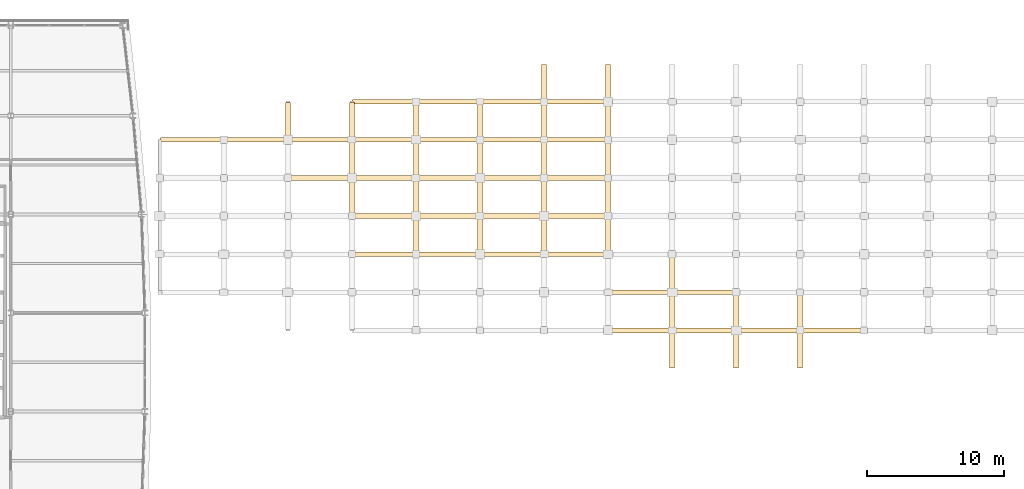
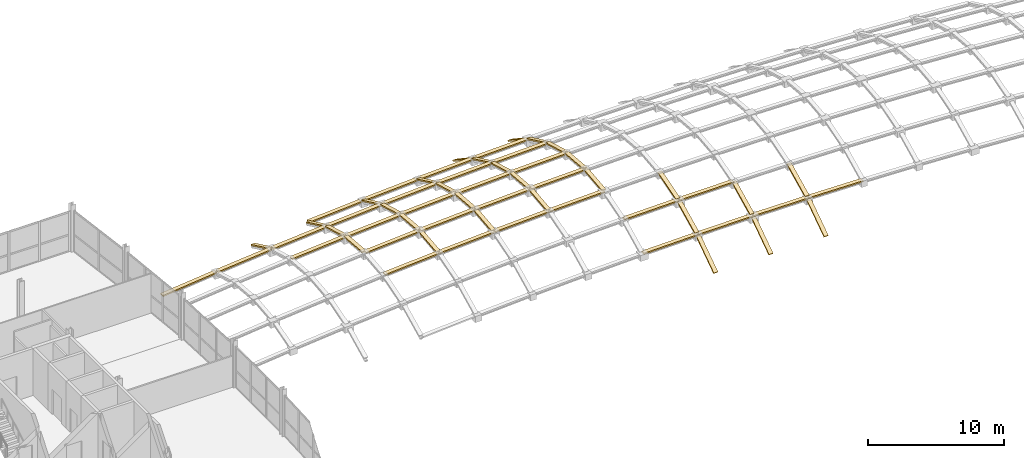
# One storey, part 33 of 36: 59 coverings.
"""IFC4 building model written with IfcOpenShell, lengths in metres."""

from ifc_helpers import new_model, si_unit, direction, frame, origin, place, context, subcontext, project, spatial, polyline, outline, extrude, material, layer, layer_set, type_object, element, save


model = new_model("IFC4")

# Units and contexts
model_context = context("Model", 3, precision=1e-05, world=origin(), true_north=direction((0.0, 1.0)))
body_context = subcontext(model_context, "Body", "Model", "MODEL_VIEW")
ifc_project = project(units=[si_unit("LENGTHUNIT", "METRE"), si_unit("AREAUNIT", "SQUARE_METRE"), si_unit("VOLUMEUNIT", "CUBIC_METRE"), si_unit("PLANEANGLEUNIT", "RADIAN"), si_unit("MASSUNIT", "GRAM", prefix="KILO")], contexts=[model_context])

# Site, building, storey
site_placement = place(None, origin())
site = spatial("IfcSite", under=ifc_project, at=site_placement, CompositionType="ELEMENT")
building_placement = place(site_placement, origin())
building = spatial("IfcBuilding", under=site, at=building_placement, Name="Quillay Park Conservatory", CompositionType="ELEMENT")
storey_placement = place(building_placement, frame((0.0, 0.0, 18.300048828125)))
storey = spatial("IfcBuildingStorey", under=building, at=storey_placement, Name="L04", CompositionType="ELEMENT", Elevation=18.300048828125)

# Coverings
ifc_material = material(Name="Thermally Broken Anodised Aluminium 6063-T6", Category="aluminium")
ifc_layer = layer(ifc_material, 0.090087890625)
ifc_layer_set = layer_set([ifc_layer], Name="GRIDSHELL GLAZING CAP BAR 90 (Thermally Broken Anodised Aluminium 6063-T6)")
covering_type = type_object("IfcCoveringType", Name="GRIDSHELL GLAZING CAP BAR 90", PredefinedType="CLADDING", material=ifc_layer_set)
covering_1_placement = place(storey_placement, frame((39.83056640625, 105.094970703125, 1.05419921875), z_axis=(0.0, 0.429589332762, 0.903024365772), x_axis=(1.0, 0.0, 0.0)))
element("IfcCovering", 1, at=covering_1_placement, inside=storey, type_object=covering_type, Name="Gridshell Transverse Glazing Cap Bar 02-07", PredefinedType="CLADDING", context=body_context, shape_type="SweptSolid", body=[
    extrude(outline(polyline([(0.0, 0.0), (0.35009765625, 0.0), (0.35009765625, 2.973406582950739), (0.0, 2.973406582950739), (0.0, 0.0)])), origin(), (0.0, 0.0, -1.0), 0.1201171875),
])
covering_2_placement = place(storey_placement, frame((44.50830078125, 99.52490234375, 2.47998046875), z_axis=(0.0, 0.086957947249, 0.996211983169), x_axis=(1.0, 0.0, 0.0)))
element("IfcCovering", 2, at=covering_2_placement, inside=storey, type_object=covering_type, Name="Gridshell Transverse Glazing Cap Bar 03-05", PredefinedType="CLADDING", context=body_context, shape_type="SweptSolid", body=[
    extrude(outline(polyline([(0.0, 0.0), (0.35009765625, 0.0), (0.35009765625, 2.6952683154921195), (0.0, 2.6952683154921195), (0.0, 0.0)])), origin(), (0.0, 0.0, -1.0), 0.1201171875),
])
covering_3_placement = place(storey_placement, frame((44.50830078125, 102.31005859375, 2.22607421875), z_axis=(0.0, 0.271622278609, 0.962403936901), x_axis=(1.0, 0.0, 0.0)))
element("IfcCovering", 3, at=covering_3_placement, inside=storey, type_object=covering_type, Name="Gridshell Transverse Glazing Cap Bar 03-06", PredefinedType="CLADDING", context=body_context, shape_type="SweptSolid", body=[
    extrude(outline(polyline([(0.0, 0.0), (0.35009765625, 0.0), (0.35009765625, 2.789949719444237), (0.0, 2.789949719444237), (0.0, 0.0)])), origin(), (0.0, 0.0, -1.0), 0.1201171875),
])
covering_4_placement = place(storey_placement, frame((44.50830078125, 105.094970703125, 1.43310546875), z_axis=(0.0, 0.429589332762, 0.903024365772), x_axis=(1.0, 0.0, 0.0)))
element("IfcCovering", 4, at=covering_4_placement, inside=storey, type_object=covering_type, Name="Gridshell Transverse Glazing Cap Bar 03-07", PredefinedType="CLADDING", context=body_context, shape_type="SweptSolid", body=[
    extrude(outline(polyline([(0.0, 0.0), (0.35009765625, 0.0), (0.35009765625, 2.973406582950739), (0.0, 2.973406582950739), (0.0, 0.0)])), origin(), (0.0, 0.0, -1.0), 0.1201171875),
])
covering_5_placement = place(storey_placement, frame((49.18603515625, 96.739990234375, 2.51513671875), z_axis=(0.0, -0.105607242225, 0.994407919513), x_axis=(1.0, 0.0, 0.0)))
element("IfcCovering", 5, at=covering_5_placement, inside=storey, type_object=covering_type, Name="Gridshell Transverse Glazing Cap Bar 04-04", PredefinedType="CLADDING", context=body_context, shape_type="SweptSolid", body=[
    extrude(outline(polyline([(0.0, 0.0), (0.35009765625, 0.0), (0.35009765625, 2.7001580951464286), (0.0, 2.7001580951464286), (0.0, 0.0)])), origin(), (0.0, 0.0, -1.0), 0.1201171875),
])
covering_6_placement = place(storey_placement, frame((49.18603515625, 99.52490234375, 2.80029296875), z_axis=(0.0, 0.086957947249, 0.996211983169), x_axis=(1.0, 0.0, 0.0)))
element("IfcCovering", 6, at=covering_6_placement, inside=storey, type_object=covering_type, Name="Gridshell Transverse Glazing Cap Bar 04-05", PredefinedType="CLADDING", context=body_context, shape_type="SweptSolid", body=[
    extrude(outline(polyline([(0.0, 0.0), (0.35009765625, 0.0), (0.35009765625, 2.6952683154921195), (0.0, 2.6952683154921195), (0.0, 0.0)])), origin(), (0.0, 0.0, -1.0), 0.1201171875),
])
covering_7_placement = place(storey_placement, frame((49.18603515625, 102.31005859375, 2.54638671875), z_axis=(0.0, 0.271622278609, 0.962403936901), x_axis=(1.0, 0.0, 0.0)))
element("IfcCovering", 7, at=covering_7_placement, inside=storey, type_object=covering_type, Name="Gridshell Transverse Glazing Cap Bar 04-06", PredefinedType="CLADDING", context=body_context, shape_type="SweptSolid", body=[
    extrude(outline(polyline([(0.0, 0.0), (0.35009765625, 0.0), (0.35009765625, 2.789949719444237), (0.0, 2.789949719444237), (0.0, 0.0)])), origin(), (0.0, 0.0, -1.0), 0.1201171875),
])
covering_8_placement = place(storey_placement, frame((49.18603515625, 105.094970703125, 1.75341796875), z_axis=(0.0, 0.429589332762, 0.903024365772), x_axis=(1.0, 0.0, 0.0)))
element("IfcCovering", 8, at=covering_8_placement, inside=storey, type_object=covering_type, Name="Gridshell Transverse Glazing Cap Bar 04-07", PredefinedType="CLADDING", context=body_context, shape_type="SweptSolid", body=[
    extrude(outline(polyline([(0.0, 0.0), (0.35009765625, 0.0), (0.35009765625, 2.973406582950739), (0.0, 2.973406582950739), (0.0, 0.0)])), origin(), (0.0, 0.0, -1.0), 0.1201171875),
])
covering_9_placement = place(storey_placement, frame((53.864013671875, 96.739990234375, 2.77685546875), z_axis=(0.0, -0.105607242225, 0.994407919513), x_axis=(1.0, 0.0, 0.0)))
element("IfcCovering", 9, at=covering_9_placement, inside=storey, type_object=covering_type, Name="Gridshell Transverse Glazing Cap Bar 05-04", PredefinedType="CLADDING", context=body_context, shape_type="SweptSolid", body=[
    extrude(outline(polyline([(0.0, 0.0), (0.349853515625, 0.0), (0.349853515625, 2.7001580951464286), (0.0, 2.7001580951464286), (0.0, 0.0)])), origin(), (0.0, 0.0, -1.0), 0.1201171875),
])
covering_10_placement = place(storey_placement, frame((53.864013671875, 99.52490234375, 3.06201171875), z_axis=(0.0, 0.086957947249, 0.996211983169), x_axis=(1.0, 0.0, 0.0)))
element("IfcCovering", 10, at=covering_10_placement, inside=storey, type_object=covering_type, Name="Gridshell Transverse Glazing Cap Bar 05-05", PredefinedType="CLADDING", context=body_context, shape_type="SweptSolid", body=[
    extrude(outline(polyline([(0.0, 0.0), (0.349853515625, 0.0), (0.349853515625, 2.6952683154921195), (0.0, 2.6952683154921195), (0.0, 0.0)])), origin(), (0.0, 0.0, -1.0), 0.1201171875),
])
covering_11_placement = place(storey_placement, frame((53.864013671875, 102.31005859375, 2.80810546875), z_axis=(0.0, 0.271622278609, 0.962403936901), x_axis=(1.0, 0.0, 0.0)))
element("IfcCovering", 11, at=covering_11_placement, inside=storey, type_object=covering_type, Name="Gridshell Transverse Glazing Cap Bar 05-06", PredefinedType="CLADDING", context=body_context, shape_type="SweptSolid", body=[
    extrude(outline(polyline([(0.0, 0.0), (0.349853515625, 0.0), (0.349853515625, 2.789949719444237), (0.0, 2.789949719444237), (0.0, 0.0)])), origin(), (0.0, 0.0, -1.0), 0.1201171875),
])
covering_12_placement = place(storey_placement, frame((53.864013671875, 105.094970703125, 2.01513671875), z_axis=(0.0, 0.429589332762, 0.903024365772), x_axis=(1.0, 0.0, 0.0)))
element("IfcCovering", 12, at=covering_12_placement, inside=storey, type_object=covering_type, Name="Gridshell Transverse Glazing Cap Bar 05-07", PredefinedType="CLADDING", context=body_context, shape_type="SweptSolid", body=[
    extrude(outline(polyline([(0.0, 0.0), (0.349853515625, 0.0), (0.349853515625, 2.973406582950739), (0.0, 2.973406582950739), (0.0, 0.0)])), origin(), (0.0, 0.0, -1.0), 0.1201171875),
])
covering_13_placement = place(storey_placement, frame((58.541748046875, 96.739990234375, 2.97998046875), z_axis=(0.0, -0.105607242225, 0.994407919513), x_axis=(1.0, 0.0, 0.0)))
element("IfcCovering", 13, at=covering_13_placement, inside=storey, type_object=covering_type, Name="Gridshell Transverse Glazing Cap Bar 06-04", PredefinedType="CLADDING", context=body_context, shape_type="SweptSolid", body=[
    extrude(outline(polyline([(0.0, 0.0), (0.349853515625, 0.0), (0.349853515625, 2.7001580951464286), (0.0, 2.7001580951464286), (0.0, 0.0)])), origin(), (0.0, 0.0, -1.0), 0.1201171875),
])
covering_14_placement = place(storey_placement, frame((58.541748046875, 99.52490234375, 3.26513671875), z_axis=(0.0, 0.086957947249, 0.996211983169), x_axis=(1.0, 0.0, 0.0)))
element("IfcCovering", 14, at=covering_14_placement, inside=storey, type_object=covering_type, Name="Gridshell Transverse Glazing Cap Bar 06-05", PredefinedType="CLADDING", context=body_context, shape_type="SweptSolid", body=[
    extrude(outline(polyline([(0.0, 0.0), (0.349853515625, 0.0), (0.349853515625, 2.6952683154921195), (0.0, 2.6952683154921195), (0.0, 0.0)])), origin(), (0.0, 0.0, -1.0), 0.1201171875),
])
covering_15_placement = place(storey_placement, frame((58.541748046875, 102.31005859375, 3.01123046875), z_axis=(0.0, 0.271622278609, 0.962403936901), x_axis=(1.0, 0.0, 0.0)))
element("IfcCovering", 15, at=covering_15_placement, inside=storey, type_object=covering_type, Name="Gridshell Transverse Glazing Cap Bar 06-06", PredefinedType="CLADDING", context=body_context, shape_type="SweptSolid", body=[
    extrude(outline(polyline([(0.0, 0.0), (0.349853515625, 0.0), (0.349853515625, 2.789949719444237), (0.0, 2.789949719444237), (0.0, 0.0)])), origin(), (0.0, 0.0, -1.0), 0.1201171875),
])
covering_16_placement = place(storey_placement, frame((58.541748046875, 105.094970703125, 2.21826171875), z_axis=(0.0, 0.429589332762, 0.903024365772), x_axis=(1.0, 0.0, 0.0)))
element("IfcCovering", 16, at=covering_16_placement, inside=storey, type_object=covering_type, Name="Gridshell Transverse Glazing Cap Bar 06-07", PredefinedType="CLADDING", context=body_context, shape_type="SweptSolid", body=[
    extrude(outline(polyline([(0.0, 0.0), (0.349853515625, 0.0), (0.349853515625, 2.973406582950739), (0.0, 2.973406582950739), (0.0, 0.0)])), origin(), (0.0, 0.0, -1.0), 0.1201171875),
])
covering_17_placement = place(storey_placement, frame((58.541748046875, 107.8798828125, 0.88623046875), z_axis=(0.0, 0.556164150236, 0.83107246254), x_axis=(1.0, 0.0, 0.0)))
element("IfcCovering", 17, at=covering_17_placement, inside=storey, type_object=covering_type, Name="Gridshell Transverse Glazing Cap Bar 06-08", PredefinedType="CLADDING", context=body_context, shape_type="SweptSolid", body=[
    extrude(outline(polyline([(0.0, 0.0), (0.349853515625, 0.0), (0.349853515625, 3.230835715027263), (0.0, 3.230835715027263), (0.0, 0.0)])), origin(), (0.0, 0.0, -1.0), 0.1201171875),
])
covering_18_placement = place(storey_placement, frame((63.219482421875, 96.739990234375, 3.12841796875), z_axis=(0.0, -0.105607242225, 0.994407919513), x_axis=(1.0, 0.0, 0.0)))
element("IfcCovering", 18, at=covering_18_placement, inside=storey, type_object=covering_type, Name="Gridshell Transverse Glazing Cap Bar 07-04", PredefinedType="CLADDING", context=body_context, shape_type="SweptSolid", body=[
    extrude(outline(polyline([(0.0, 0.0), (0.349853515625, 0.0), (0.349853515625, 2.7001580951464286), (0.0, 2.7001580951464286), (0.0, 0.0)])), origin(), (0.0, 0.0, -1.0), 0.1201171875),
])
covering_19_placement = place(storey_placement, frame((63.219482421875, 99.52490234375, 3.41357421875), z_axis=(0.0, 0.086957947249, 0.996211983169), x_axis=(1.0, 0.0, 0.0)))
element("IfcCovering", 19, at=covering_19_placement, inside=storey, type_object=covering_type, Name="Gridshell Transverse Glazing Cap Bar 07-05", PredefinedType="CLADDING", context=body_context, shape_type="SweptSolid", body=[
    extrude(outline(polyline([(0.0, 0.0), (0.349853515625, 0.0), (0.349853515625, 2.6952683154921195), (0.0, 2.6952683154921195), (0.0, 0.0)])), origin(), (0.0, 0.0, -1.0), 0.1201171875),
])
covering_20_placement = place(storey_placement, frame((63.219482421875, 102.31005859375, 3.15966796875), z_axis=(0.0, 0.271622278609, 0.962403936901), x_axis=(1.0, 0.0, 0.0)))
element("IfcCovering", 20, at=covering_20_placement, inside=storey, type_object=covering_type, Name="Gridshell Transverse Glazing Cap Bar 07-06", PredefinedType="CLADDING", context=body_context, shape_type="SweptSolid", body=[
    extrude(outline(polyline([(0.0, 0.0), (0.349853515625, 0.0), (0.349853515625, 2.789949719444237), (0.0, 2.789949719444237), (0.0, 0.0)])), origin(), (0.0, 0.0, -1.0), 0.1201171875),
])
covering_21_placement = place(storey_placement, frame((63.219482421875, 105.094970703125, 2.36669921875), z_axis=(0.0, 0.429589332762, 0.903024365772), x_axis=(1.0, 0.0, 0.0)))
element("IfcCovering", 21, at=covering_21_placement, inside=storey, type_object=covering_type, Name="Gridshell Transverse Glazing Cap Bar 07-07", PredefinedType="CLADDING", context=body_context, shape_type="SweptSolid", body=[
    extrude(outline(polyline([(0.0, 0.0), (0.349853515625, 0.0), (0.349853515625, 2.973406582950739), (0.0, 2.973406582950739), (0.0, 0.0)])), origin(), (0.0, 0.0, -1.0), 0.1201171875),
])
covering_22_placement = place(storey_placement, frame((63.219482421875, 107.8798828125, 1.03466796875), z_axis=(0.0, 0.556164150236, 0.83107246254), x_axis=(1.0, 0.0, 0.0)))
element("IfcCovering", 22, at=covering_22_placement, inside=storey, type_object=covering_type, Name="Gridshell Transverse Glazing Cap Bar 07-08", PredefinedType="CLADDING", context=body_context, shape_type="SweptSolid", body=[
    extrude(outline(polyline([(0.0, 0.0), (0.349853515625, 0.0), (0.349853515625, 3.230835715027263), (0.0, 3.230835715027263), (0.0, 0.0)])), origin(), (0.0, 0.0, -1.0), 0.1201171875),
])
covering_23_placement = place(storey_placement, frame((67.897216796875, 88.385009765625, -0.86767578125), z_axis=(0.0, -0.565248454468, 0.824920714203), x_axis=(1.0, 0.0, 0.0)))
element("IfcCovering", 23, at=covering_23_placement, inside=storey, type_object=covering_type, Name="Gridshell Transverse Glazing Cap Bar 08-01", PredefinedType="CLADDING", context=body_context, shape_type="SweptSolid", body=[
    extrude(outline(polyline([(0.0, 0.0), (0.35009765625, 0.0), (0.35009765625, 3.2549292889838313), (0.0, 3.2549292889838313), (0.0, 0.0)])), origin(), (0.0, 0.0, -1.0), 0.1201171875),
])
covering_24_placement = place(storey_placement, frame((67.897216796875, 91.169921875, 1.03466796875), z_axis=(0.0, -0.441263645499, 0.897377509837), x_axis=(1.0, 0.0, 0.0)))
element("IfcCovering", 24, at=covering_24_placement, inside=storey, type_object=covering_type, Name="Gridshell Transverse Glazing Cap Bar 08-02", PredefinedType="CLADDING", context=body_context, shape_type="SweptSolid", body=[
    extrude(outline(polyline([(0.0, 0.0), (0.35009765625, 0.0), (0.35009765625, 2.9921171015732284), (0.0, 2.9921171015732284), (0.0, 0.0)])), origin(), (0.0, 0.0, -1.0), 0.1201171875),
])
covering_25_placement = place(storey_placement, frame((67.897216796875, 93.955078125, 2.39404296875), z_axis=(0.0, -0.285820564514, 0.958283154866), x_axis=(1.0, 0.0, 0.0)))
element("IfcCovering", 25, at=covering_25_placement, inside=storey, type_object=covering_type, Name="Gridshell Transverse Glazing Cap Bar 08-03", PredefinedType="CLADDING", context=body_context, shape_type="SweptSolid", body=[
    extrude(outline(polyline([(0.0, 0.0), (0.35009765625, 0.0), (0.35009765625, 2.8016922132990367), (0.0, 2.8016922132990367), (0.0, 0.0)])), origin(), (0.0, 0.0, -1.0), 0.1201171875),
])
covering_26_placement = place(storey_placement, frame((72.574951171875, 88.385009765625, -0.83642578125), z_axis=(0.0, -0.565248454468, 0.824920714203), x_axis=(1.0, 0.0, 0.0)))
element("IfcCovering", 26, at=covering_26_placement, inside=storey, type_object=covering_type, Name="Gridshell Transverse Glazing Cap Bar 09-01", PredefinedType="CLADDING", context=body_context, shape_type="SweptSolid", body=[
    extrude(outline(polyline([(0.0, 0.0), (0.35009765625, 0.0), (0.35009765625, 3.2549292889838313), (0.0, 3.2549292889838313), (0.0, 0.0)])), origin(), (0.0, 0.0, -1.0), 0.1201171875),
])
covering_27_placement = place(storey_placement, frame((72.574951171875, 91.169921875, 1.06591796875), z_axis=(0.0, -0.441263645499, 0.897377509837), x_axis=(1.0, 0.0, 0.0)))
element("IfcCovering", 27, at=covering_27_placement, inside=storey, type_object=covering_type, Name="Gridshell Transverse Glazing Cap Bar 09-02", PredefinedType="CLADDING", context=body_context, shape_type="SweptSolid", body=[
    extrude(outline(polyline([(0.0, 0.0), (0.35009765625, 0.0), (0.35009765625, 2.9921171015732284), (0.0, 2.9921171015732284), (0.0, 0.0)])), origin(), (0.0, 0.0, -1.0), 0.1201171875),
])
covering_28_placement = place(storey_placement, frame((77.252685546875, 88.385009765625, -0.86767578125), z_axis=(0.0, -0.565248454468, 0.824920714203), x_axis=(1.0, 0.0, 0.0)))
element("IfcCovering", 28, at=covering_28_placement, inside=storey, type_object=covering_type, Name="Gridshell Transverse Glazing Cap Bar 10-01", PredefinedType="CLADDING", context=body_context, shape_type="SweptSolid", body=[
    extrude(outline(polyline([(0.0, 0.0), (0.35009765625, 0.0), (0.35009765625, 3.2549292889838313), (0.0, 3.2549292889838313), (0.0, 0.0)])), origin(), (0.0, 0.0, -1.0), 0.1201171875),
])
covering_29_placement = place(storey_placement, frame((77.252685546875, 91.169921875, 1.03466796875), z_axis=(0.0, -0.441263645499, 0.897377509837), x_axis=(1.0, 0.0, 0.0)))
element("IfcCovering", 29, at=covering_29_placement, inside=storey, type_object=covering_type, Name="Gridshell Transverse Glazing Cap Bar 10-02", PredefinedType="CLADDING", context=body_context, shape_type="SweptSolid", body=[
    extrude(outline(polyline([(0.0, 0.0), (0.35009765625, 0.0), (0.35009765625, 2.9921171015732284), (0.0, 2.9921171015732284), (0.0, 0.0)])), origin(), (0.0, 0.0, -1.0), 0.1201171875),
])
covering_30_placement = place(storey_placement, frame((63.4443359375, 90.945068359375, 0.91748046875), z_axis=(-0.018769025327, 0.0, 0.999823846329), x_axis=(0.999823846329, 0.0, 0.018769025327)))
element("IfcCovering", 30, at=covering_30_placement, inside=storey, type_object=covering_type, Name="Gridshell Longitudinal Glazing Cap Bar 07-02", PredefinedType="CLADDING", context=body_context, shape_type="SweptSolid", body=[
    extrude(outline(polyline([(0.0, 0.0), (4.578687411970623, 0.0), (4.578687411970623, 0.349853515625), (0.0, 0.349853515625), (0.0, 0.0)])), origin(), (0.0, 0.0, -1.0), 0.1201171875),
])
for number, where, z_axis, x_axis, name in (
    (31, (68.122314453125, 90.945068359375, 1.00341796875), (-0.006826507599, 0.0, 0.999976699126), (0.999976699126, 0.0, 0.006826507599), "Gridshell Longitudinal Glazing Cap Bar 08-02"),
    (32, (72.800048828125, 90.945068359375, 1.03466796875), (0.006826507599, 0.0, 0.999976699126), (0.999976699126, 0.0, -0.006826507599), "Gridshell Longitudinal Glazing Cap Bar 09-02"),
):
    element("IfcCovering", number, at=place(storey_placement, frame(where, z_axis=z_axis, x_axis=x_axis)), inside=storey, type_object=covering_type, Name=name, PredefinedType="CLADDING", context=body_context, shape_type="SweptSolid", body=[
        extrude(outline(polyline([(0.0, 0.0), (4.577743384173939, 0.0), (4.577743384173939, 0.349853515625), (0.0, 0.349853515625), (0.0, 0.0)])), origin(), (0.0, 0.0, -1.0), 0.1201171875),
    ])
covering_31_placement = place(storey_placement, frame((77.477783203125, 90.945068359375, 1.00341796875), z_axis=(0.018769025327, 0.0, 0.999823846329), x_axis=(0.999823846329, 0.0, -0.018769025327)))
element("IfcCovering", 33, at=covering_31_placement, inside=storey, type_object=covering_type, Name="Gridshell Longitudinal Glazing Cap Bar 10-02", PredefinedType="CLADDING", context=body_context, shape_type="SweptSolid", body=[
    extrude(outline(polyline([(0.0, 0.0), (4.578687411970623, 0.0), (4.578687411970623, 0.349853515625), (0.0, 0.349853515625), (0.0, 0.0)])), origin(), (0.0, 0.0, -1.0), 0.1201171875),
])
covering_32_placement = place(storey_placement, frame((63.4443359375, 93.72998046875, 2.28857421875), z_axis=(-0.018769025327, 0.0, 0.999823846329), x_axis=(0.999823846329, 0.0, 0.018769025327)))
element("IfcCovering", 34, at=covering_32_placement, inside=storey, type_object=covering_type, Name="Gridshell Longitudinal Glazing Cap Bar 07-03", PredefinedType="CLADDING", context=body_context, shape_type="SweptSolid", body=[
    extrude(outline(polyline([(0.0, 0.0), (4.578687411970623, 0.0), (4.578687411970623, 0.35009765625), (0.0, 0.35009765625), (0.0, 0.0)])), origin(), (0.0, 0.0, -1.0), 0.1201171875),
])
covering_33_placement = place(storey_placement, frame((68.122314453125, 93.72998046875, 2.37451171875), z_axis=(-0.006826507599, 0.0, 0.999976699126), x_axis=(0.999976699126, 0.0, 0.006826507599)))
element("IfcCovering", 35, at=covering_33_placement, inside=storey, type_object=covering_type, Name="Gridshell Longitudinal Glazing Cap Bar 08-03", PredefinedType="CLADDING", context=body_context, shape_type="SweptSolid", body=[
    extrude(outline(polyline([(0.0, 0.0), (4.577743384173939, 0.0), (4.577743384173939, 0.35009765625), (0.0, 0.35009765625), (0.0, 0.0)])), origin(), (0.0, 0.0, -1.0), 0.1201171875),
])
covering_34_placement = place(storey_placement, frame((44.7333984375, 96.514892578125, 2.19091796875), z_axis=(-0.068108147653, 0.0, 0.99767794414), x_axis=(0.99767794414, 0.0, 0.068108147653)))
element("IfcCovering", 36, at=covering_34_placement, inside=storey, type_object=covering_type, Name="Gridshell Longitudinal Glazing Cap Bar 03-04", PredefinedType="CLADDING", context=body_context, shape_type="SweptSolid", body=[
    extrude(outline(polyline([(0.0, 0.0), (4.588290986723518, 0.0), (4.588290986723518, 0.35009765625), (0.0, 0.35009765625), (0.0, 0.0)])), origin(), (0.0, 0.0, -1.0), 0.1201171875),
])
covering_35_placement = place(storey_placement, frame((49.4111328125, 96.514892578125, 2.51123046875), z_axis=(-0.056227900695, 0.0, 0.998417960167), x_axis=(0.998417960167, 0.0, 0.056227900695)))
element("IfcCovering", 37, at=covering_35_placement, inside=storey, type_object=covering_type, Name="Gridshell Longitudinal Glazing Cap Bar 04-04", PredefinedType="CLADDING", context=body_context, shape_type="SweptSolid", body=[
    extrude(outline(polyline([(0.0, 0.0), (4.585134725151295, 0.0), (4.585134725151295, 0.35009765625), (0.0, 0.35009765625), (0.0, 0.0)])), origin(), (0.0, 0.0, -1.0), 0.1201171875),
])
covering_36_placement = place(storey_placement, frame((54.0888671875, 96.514892578125, 2.77294921875), z_axis=(-0.043476530855, 0.0, 0.999054448599), x_axis=(0.999054448599, 0.0, 0.043476530855)))
element("IfcCovering", 38, at=covering_36_placement, inside=storey, type_object=covering_type, Name="Gridshell Longitudinal Glazing Cap Bar 05-04", PredefinedType="CLADDING", context=body_context, shape_type="SweptSolid", body=[
    extrude(outline(polyline([(0.0, 0.0), (4.582213577844616, 0.0), (4.582213577844616, 0.35009765625000006), (0.0, 0.35009765625000006), (0.0, 0.0)])), origin(), (0.0, 0.0, -1.0), 0.1201171875),
])
covering_37_placement = place(storey_placement, frame((58.7666015625, 96.514892578125, 2.97607421875), z_axis=(-0.030703878741, 0.0, 0.999528524771), x_axis=(0.999528524771, 0.0, 0.030703878741)))
element("IfcCovering", 39, at=covering_37_placement, inside=storey, type_object=covering_type, Name="Gridshell Longitudinal Glazing Cap Bar 06-04", PredefinedType="CLADDING", context=body_context, shape_type="SweptSolid", body=[
    extrude(outline(polyline([(0.0, 0.0), (4.580040234894994, 0.0), (4.580040234894994, 0.35009765625), (0.0, 0.35009765625), (0.0, 0.0)])), origin(), (0.0, 0.0, -1.0), 0.1201171875),
])
covering_38_placement = place(storey_placement, frame((44.7333984375, 99.300048828125, 2.48388671875), z_axis=(-0.068108147653, 0.0, 0.99767794414), x_axis=(0.99767794414, 0.0, 0.068108147653)))
element("IfcCovering", 40, at=covering_38_placement, inside=storey, type_object=covering_type, Name="Gridshell Longitudinal Glazing Cap Bar 03-05", PredefinedType="CLADDING", context=body_context, shape_type="SweptSolid", body=[
    extrude(outline(polyline([(0.0, 0.0), (4.588290986723518, 0.0), (4.588290986723518, 0.349853515625), (0.0, 0.349853515625), (0.0, 0.0)])), origin(), (0.0, 0.0, -1.0), 0.1201171875),
])
covering_39_placement = place(storey_placement, frame((49.4111328125, 99.300048828125, 2.80419921875), z_axis=(-0.056227900695, 0.0, 0.998417960167), x_axis=(0.998417960167, 0.0, 0.056227900695)))
element("IfcCovering", 41, at=covering_39_placement, inside=storey, type_object=covering_type, Name="Gridshell Longitudinal Glazing Cap Bar 04-05", PredefinedType="CLADDING", context=body_context, shape_type="SweptSolid", body=[
    extrude(outline(polyline([(0.0, 0.0), (4.585134725151295, 0.0), (4.585134725151295, 0.349853515625), (0.0, 0.349853515625), (0.0, 0.0)])), origin(), (0.0, 0.0, -1.0), 0.1201171875),
])
covering_40_placement = place(storey_placement, frame((54.0888671875, 99.300048828125, 3.06591796875), z_axis=(-0.043476530855, 0.0, 0.999054448599), x_axis=(0.999054448599, 0.0, 0.043476530855)))
element("IfcCovering", 42, at=covering_40_placement, inside=storey, type_object=covering_type, Name="Gridshell Longitudinal Glazing Cap Bar 05-05", PredefinedType="CLADDING", context=body_context, shape_type="SweptSolid", body=[
    extrude(outline(polyline([(0.0, 0.0), (4.582213577844616, 0.0), (4.582213577844616, 0.349853515625), (0.0, 0.349853515625), (0.0, 0.0)])), origin(), (0.0, 0.0, -1.0), 0.1201171875),
])
covering_41_placement = place(storey_placement, frame((58.7666015625, 99.300048828125, 3.26904296875), z_axis=(-0.030703878741, 0.0, 0.999528524771), x_axis=(0.999528524771, 0.0, 0.030703878741)))
element("IfcCovering", 43, at=covering_41_placement, inside=storey, type_object=covering_type, Name="Gridshell Longitudinal Glazing Cap Bar 06-05", PredefinedType="CLADDING", context=body_context, shape_type="SweptSolid", body=[
    extrude(outline(polyline([(0.0, 0.0), (4.580040234894994, 0.0), (4.580040234894994, 0.349853515625), (0.0, 0.349853515625), (0.0, 0.0)])), origin(), (0.0, 0.0, -1.0), 0.1201171875),
])
covering_42_placement = place(storey_placement, frame((40.0556640625, 102.0849609375, 1.85888671875), z_axis=(-0.080801595311, 0.0, 0.996730205319), x_axis=(0.996730205319, 0.0, 0.080801595311)))
element("IfcCovering", 44, at=covering_42_placement, inside=storey, type_object=covering_type, Name="Gridshell Longitudinal Glazing Cap Bar 02-06", PredefinedType="CLADDING", context=body_context, shape_type="SweptSolid", body=[
    extrude(outline(polyline([(0.0, 0.0), (4.592653753565289, 0.0), (4.592653753565289, 0.35009765625), (0.0, 0.35009765625), (0.0, 0.0)])), origin(), (0.0, 0.0, -1.0), 0.1201171875),
])
covering_43_placement = place(storey_placement, frame((44.7333984375, 102.0849609375, 2.23779296875), z_axis=(-0.068108147653, 0.0, 0.99767794414), x_axis=(0.99767794414, 0.0, 0.068108147653)))
element("IfcCovering", 45, at=covering_43_placement, inside=storey, type_object=covering_type, Name="Gridshell Longitudinal Glazing Cap Bar 03-06", PredefinedType="CLADDING", context=body_context, shape_type="SweptSolid", body=[
    extrude(outline(polyline([(0.0, 0.0), (4.588290986723518, 0.0), (4.588290986723518, 0.35009765625), (0.0, 0.35009765625), (0.0, 0.0)])), origin(), (0.0, 0.0, -1.0), 0.1201171875),
])
covering_44_placement = place(storey_placement, frame((49.4111328125, 102.0849609375, 2.55810546875), z_axis=(-0.056227900695, 0.0, 0.998417960167), x_axis=(0.998417960167, 0.0, 0.056227900695)))
element("IfcCovering", 46, at=covering_44_placement, inside=storey, type_object=covering_type, Name="Gridshell Longitudinal Glazing Cap Bar 04-06", PredefinedType="CLADDING", context=body_context, shape_type="SweptSolid", body=[
    extrude(outline(polyline([(0.0, 0.0), (4.585134725151295, 0.0), (4.585134725151295, 0.35009765625), (0.0, 0.35009765625), (0.0, 0.0)])), origin(), (0.0, 0.0, -1.0), 0.1201171875),
])
covering_45_placement = place(storey_placement, frame((54.0888671875, 102.0849609375, 2.81982421875), z_axis=(-0.043476530855, 0.0, 0.999054448599), x_axis=(0.999054448599, 0.0, 0.043476530855)))
element("IfcCovering", 47, at=covering_45_placement, inside=storey, type_object=covering_type, Name="Gridshell Longitudinal Glazing Cap Bar 05-06", PredefinedType="CLADDING", context=body_context, shape_type="SweptSolid", body=[
    extrude(outline(polyline([(0.0, 0.0), (4.582213577844616, 0.0), (4.582213577844616, 0.35009765625000006), (0.0, 0.35009765625000006), (0.0, 0.0)])), origin(), (0.0, 0.0, -1.0), 0.1201171875),
])
covering_46_placement = place(storey_placement, frame((58.7666015625, 102.0849609375, 3.02294921875), z_axis=(-0.030703878741, 0.0, 0.999528524771), x_axis=(0.999528524771, 0.0, 0.030703878741)))
element("IfcCovering", 48, at=covering_46_placement, inside=storey, type_object=covering_type, Name="Gridshell Longitudinal Glazing Cap Bar 06-06", PredefinedType="CLADDING", context=body_context, shape_type="SweptSolid", body=[
    extrude(outline(polyline([(0.0, 0.0), (4.580040234894994, 0.0), (4.580040234894994, 0.35009765625), (0.0, 0.35009765625), (0.0, 0.0)])), origin(), (0.0, 0.0, -1.0), 0.1201171875),
])
covering_47_placement = place(storey_placement, frame((30.699951171875, 104.8701171875, 0.14794921875), z_axis=(-0.105220344611, 0.0, 0.994448932364), x_axis=(0.994448932364, 0.0, 0.105220344611)))
element("IfcCovering", 49, at=covering_47_placement, inside=storey, type_object=covering_type, Name="Gridshell Longitudinal Glazing Cap Bar 00-07", PredefinedType="CLADDING", context=body_context, shape_type="SweptSolid", body=[
    extrude(outline(polyline([(0.0, 0.0), (4.603434837516112, 0.0), (4.603434837516112, 0.349853515625), (0.0, 0.349853515625), (0.0, 0.0)])), origin(), (0.0, 0.0, -1.0), 0.1201171875),
])
covering_48_placement = place(storey_placement, frame((35.377685546875, 104.8701171875, 0.64013671875), z_axis=(-0.093450911608, 0.0, 0.995623888383), x_axis=(0.995623888383, 0.0, 0.093450911608)))
element("IfcCovering", 50, at=covering_48_placement, inside=storey, type_object=covering_type, Name="Gridshell Longitudinal Glazing Cap Bar 01-07", PredefinedType="CLADDING", context=body_context, shape_type="SweptSolid", body=[
    extrude(outline(polyline([(0.0, 0.0), (4.5980022303483326, 0.0), (4.5980022303483326, 0.34985351562499994), (0.0, 0.34985351562499994), (0.0, 0.0)])), origin(), (0.0, 0.0, -1.0), 0.1201171875),
])
covering_49_placement = place(storey_placement, frame((40.0556640625, 104.8701171875, 1.07763671875), z_axis=(-0.080801595311, 0.0, 0.996730205319), x_axis=(0.996730205319, 0.0, 0.080801595311)))
element("IfcCovering", 51, at=covering_49_placement, inside=storey, type_object=covering_type, Name="Gridshell Longitudinal Glazing Cap Bar 02-07", PredefinedType="CLADDING", context=body_context, shape_type="SweptSolid", body=[
    extrude(outline(polyline([(0.0, 0.0), (4.592653753565289, 0.0), (4.592653753565289, 0.349853515625), (0.0, 0.349853515625), (0.0, 0.0)])), origin(), (0.0, 0.0, -1.0), 0.1201171875),
])
covering_50_placement = place(storey_placement, frame((44.7333984375, 104.8701171875, 1.45654296875), z_axis=(-0.068108147653, 0.0, 0.99767794414), x_axis=(0.99767794414, 0.0, 0.068108147653)))
element("IfcCovering", 52, at=covering_50_placement, inside=storey, type_object=covering_type, Name="Gridshell Longitudinal Glazing Cap Bar 03-07", PredefinedType="CLADDING", context=body_context, shape_type="SweptSolid", body=[
    extrude(outline(polyline([(0.0, 0.0), (4.588290986723518, 0.0), (4.588290986723518, 0.349853515625), (0.0, 0.349853515625), (0.0, 0.0)])), origin(), (0.0, 0.0, -1.0), 0.1201171875),
])
covering_51_placement = place(storey_placement, frame((49.4111328125, 104.8701171875, 1.77685546875), z_axis=(-0.056227900695, 0.0, 0.998417960167), x_axis=(0.998417960167, 0.0, 0.056227900695)))
element("IfcCovering", 53, at=covering_51_placement, inside=storey, type_object=covering_type, Name="Gridshell Longitudinal Glazing Cap Bar 04-07", PredefinedType="CLADDING", context=body_context, shape_type="SweptSolid", body=[
    extrude(outline(polyline([(0.0, 0.0), (4.585134725151295, 0.0), (4.585134725151295, 0.349853515625), (0.0, 0.349853515625), (0.0, 0.0)])), origin(), (0.0, 0.0, -1.0), 0.1201171875),
])
covering_52_placement = place(storey_placement, frame((54.0888671875, 104.8701171875, 2.03857421875), z_axis=(-0.043476530855, 0.0, 0.999054448599), x_axis=(0.999054448599, 0.0, 0.043476530855)))
element("IfcCovering", 54, at=covering_52_placement, inside=storey, type_object=covering_type, Name="Gridshell Longitudinal Glazing Cap Bar 05-07", PredefinedType="CLADDING", context=body_context, shape_type="SweptSolid", body=[
    extrude(outline(polyline([(0.0, 0.0), (4.582213577844616, 0.0), (4.582213577844616, 0.349853515625), (0.0, 0.349853515625), (0.0, 0.0)])), origin(), (0.0, 0.0, -1.0), 0.1201171875),
])
covering_53_placement = place(storey_placement, frame((58.7666015625, 104.8701171875, 2.24169921875), z_axis=(-0.030703878741, 0.0, 0.999528524771), x_axis=(0.999528524771, 0.0, 0.030703878741)))
element("IfcCovering", 55, at=covering_53_placement, inside=storey, type_object=covering_type, Name="Gridshell Longitudinal Glazing Cap Bar 06-07", PredefinedType="CLADDING", context=body_context, shape_type="SweptSolid", body=[
    extrude(outline(polyline([(0.0, 0.0), (4.580040234894994, 0.0), (4.580040234894994, 0.349853515625), (0.0, 0.349853515625), (0.0, 0.0)])), origin(), (0.0, 0.0, -1.0), 0.1201171875),
])
covering_54_placement = place(storey_placement, frame((44.7333984375, 107.655029296875, 0.13232421875), z_axis=(-0.068108147653, 0.0, 0.99767794414), x_axis=(0.99767794414, 0.0, 0.068108147653)))
element("IfcCovering", 56, at=covering_54_placement, inside=storey, type_object=covering_type, Name="Gridshell Longitudinal Glazing Cap Bar 03-08", PredefinedType="CLADDING", context=body_context, shape_type="SweptSolid", body=[
    extrude(outline(polyline([(0.0, 0.0), (4.588290986723518, 0.0), (4.588290986723518, 0.349853515625), (0.0, 0.349853515625), (0.0, 0.0)])), origin(), (0.0, 0.0, -1.0), 0.1201171875),
])
covering_55_placement = place(storey_placement, frame((49.4111328125, 107.655029296875, 0.45263671875), z_axis=(-0.056227900695, 0.0, 0.998417960167), x_axis=(0.998417960167, 0.0, 0.056227900695)))
element("IfcCovering", 57, at=covering_55_placement, inside=storey, type_object=covering_type, Name="Gridshell Longitudinal Glazing Cap Bar 04-08", PredefinedType="CLADDING", context=body_context, shape_type="SweptSolid", body=[
    extrude(outline(polyline([(0.0, 0.0), (4.585134725151295, 0.0), (4.585134725151295, 0.349853515625), (0.0, 0.349853515625), (0.0, 0.0)])), origin(), (0.0, 0.0, -1.0), 0.1201171875),
])
covering_56_placement = place(storey_placement, frame((54.0888671875, 107.655029296875, 0.71435546875), z_axis=(-0.043476530855, 0.0, 0.999054448599), x_axis=(0.999054448599, 0.0, 0.043476530855)))
element("IfcCovering", 58, at=covering_56_placement, inside=storey, type_object=covering_type, Name="Gridshell Longitudinal Glazing Cap Bar 05-08", PredefinedType="CLADDING", context=body_context, shape_type="SweptSolid", body=[
    extrude(outline(polyline([(0.0, 0.0), (4.582213577844616, 0.0), (4.582213577844616, 0.349853515625), (0.0, 0.349853515625), (0.0, 0.0)])), origin(), (0.0, 0.0, -1.0), 0.1201171875),
])
covering_57_placement = place(storey_placement, frame((58.7666015625, 107.655029296875, 0.91748046875), z_axis=(-0.030703878741, 0.0, 0.999528524771), x_axis=(0.999528524771, 0.0, 0.030703878741)))
element("IfcCovering", 59, at=covering_57_placement, inside=storey, type_object=covering_type, Name="Gridshell Longitudinal Glazing Cap Bar 06-08", PredefinedType="CLADDING", context=body_context, shape_type="SweptSolid", body=[
    extrude(outline(polyline([(0.0, 0.0), (4.580040234894994, 0.0), (4.580040234894994, 0.349853515625), (0.0, 0.349853515625), (0.0, 0.0)])), origin(), (0.0, 0.0, -1.0), 0.1201171875),
])

save(model, "model.ifc")
